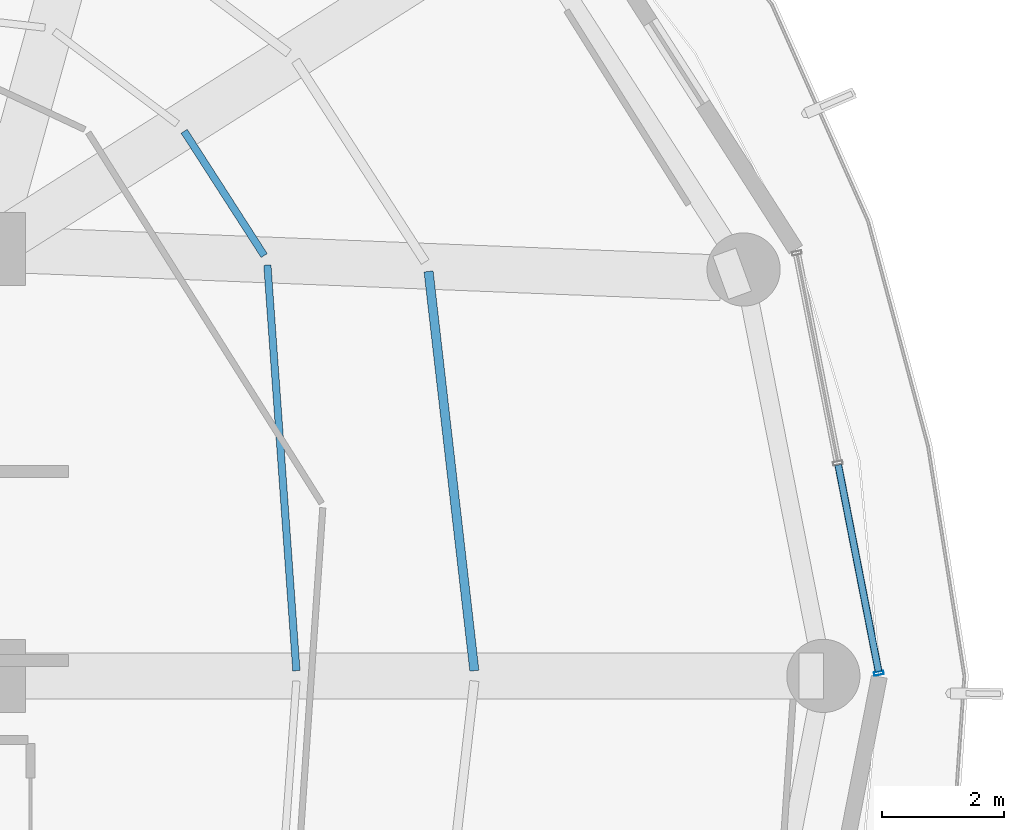
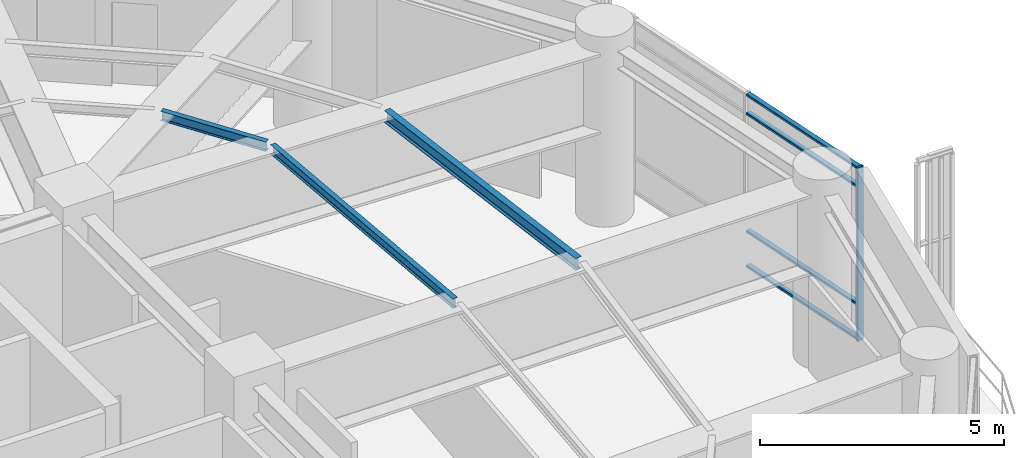
# One storey, part 13 of 28: 5 members, 3 beams, 1 element without a shape of its own.
"""IFC4 building model written with IfcOpenShell, lengths in metres."""

from ifc_helpers import new_model, si_unit, direction, frame, origin, origin_2d, place, context, subcontext, project, spatial, hollow_rectangle, i_section, extrude, material, layer, layer_set, material_profile, profile_set, type_object, element, aggregate, save


model = new_model("IFC4")

# Units and contexts
model_context = context("Model", 3, precision=1e-05, world=origin(), true_north=direction((0.0, 1.0)))
body_context = subcontext(model_context, "Body", "Model", "MODEL_VIEW")
ifc_project = project(units=[si_unit("LENGTHUNIT", "METRE"), si_unit("AREAUNIT", "SQUARE_METRE"), si_unit("VOLUMEUNIT", "CUBIC_METRE"), si_unit("PLANEANGLEUNIT", "RADIAN"), si_unit("MASSUNIT", "GRAM", prefix="KILO")], contexts=[model_context])

# Site, building, storey
site_placement = place(None, origin())
site = spatial("IfcSite", under=ifc_project, at=site_placement, CompositionType="ELEMENT")
building_placement = place(site_placement, origin())
building = spatial("IfcBuilding", under=site, at=building_placement, Name="Kelanora Arch Commons", CompositionType="ELEMENT")
storey_placement = place(building_placement, frame((0.0, 0.0, 184.35009765625)))
storey = spatial("IfcBuildingStorey", under=building, at=storey_placement, Name="L47", CompositionType="ELEMENT", Elevation=184.35009765625)

# Beams
ifc_material_1 = material(Name="Steel S355", Category="steel")
ifc_material_profile_1 = material_profile(ifc_material_1, i_section(OverallWidth=0.14990234375, OverallDepth=0.300048828125, WebThickness=0.007080078125, FlangeThickness=0.0107421875, FilletRadius=0.014892578125, at=origin_2d()), Name="IPE300")
ifc_profile_set_1 = profile_set([ifc_material_profile_1], Name="Steel S355")
beam_type_1 = type_object("IfcBeamType", Name="BM-JST-01", PredefinedType="JOIST", material=ifc_profile_set_1)
beam_1_placement = place(storey_placement, frame((89.958251953125, 58.08447265625, 4.2099609375), z_axis=(-0.113891408177, 0.993493204377, 0.0), x_axis=(-0.993493204377, -0.113891408177, 0.0)))
element("IfcBeam", 1, at=beam_1_placement, inside=storey, type_object=beam_type_1, Name="Secondary Chord Joist BJB-00 L47", PredefinedType="JOIST", context=body_context, shape_type="SweptSolid", body=[
    extrude(i_section(OverallWidth=0.14990234375, OverallDepth=0.300048828125, WebThickness=0.007080078125, FlangeThickness=0.0107421875, FilletRadius=0.014892578125, at=origin_2d()), origin(), (0.0, 0.0, 1.0), 6.589599609375),
])
ifc_material_profile_2 = material_profile(ifc_material_1, i_section(OverallWidth=0.1201171875, OverallDepth=0.239990234375, WebThickness=0.006103515625, FlangeThickness=0.009765625, FilletRadius=0.014892578125, at=origin_2d()), Name="IPE240")
ifc_profile_set_2 = profile_set([ifc_material_profile_2], Name="Steel S355")
beam_type_2 = type_object("IfcBeamType", Name="BM-JST-02", PredefinedType="JOIST", material=ifc_profile_set_2)
beam_2_placement = place(storey_placement, frame((87.040283203125, 58.084716796875, 4.239990234375), z_axis=(-0.07133032136, 0.997452748382, 0.0), x_axis=(-0.997452748382, -0.07133032136, 0.0)))
element("IfcBeam", 2, at=beam_2_placement, inside=storey, type_object=beam_type_2, Name="Secondary Chord Joist BJA-00 L47", PredefinedType="JOIST", context=body_context, shape_type="SweptSolid", body=[
    extrude(i_section(OverallWidth=0.1201171875, OverallDepth=0.239990234375, WebThickness=0.006103515625, FlangeThickness=0.009765625, FilletRadius=0.014892578125, at=origin_2d()), origin(), (0.0, 0.0, 1.0), 6.66748046875),
])
beam_3_placement = place(storey_placement, frame((86.5126953125, 64.89111328125, 4.239990234375), z_axis=(-0.541332763503, 0.840808443796, 0.0), x_axis=(-0.840808443796, -0.541332763503, 0.0)))
element("IfcBeam", 3, at=beam_3_placement, inside=storey, type_object=beam_type_2, Name="Secondary Chord Joist BJA-02 L47", PredefinedType="JOIST", context=body_context, shape_type="SweptSolid", body=[
    extrude(i_section(OverallWidth=0.1201171875, OverallDepth=0.239990234375, WebThickness=0.006103515625, FlangeThickness=0.009765625, FilletRadius=0.014892578125, at=origin_2d()), origin(), (0.0, 0.0, 1.0), 2.423583984375),
])

# Curtain wall, members
ifc_material_2 = material(Name="Terracotta ceramic-fritted low-E glass and aluminium", Category="masonry")
ifc_layer = layer(ifc_material_2, 0.175048828125)
ifc_layer_set = layer_set([ifc_layer], Name="Terracotta ceramic-fritted low-E glass and aluminium")
curtain_wall_type = type_object("IfcCurtainWallType", Name="CW-SYS-02", PredefinedType="NOTDEFINED", material=ifc_layer_set)
curtain_wall_placement = place(storey_placement, origin())
curtain_wall = element("IfcCurtainWall", 4, at=curtain_wall_placement, inside=storey, type_object=curtain_wall_type, Name="Unitised Curtain Wall L47-B00", PredefinedType="NOTDEFINED")
ifc_material_3 = material(Name="Powder-coated aluminium terracotta", Category="masonry")
ifc_material_profile_3 = material_profile(ifc_material_3, hollow_rectangle(XDim=0.159912109375, YDim=0.06005859375, WallThickness=0.0048828125, InnerFilletRadius=0.0048828125, OuterFilletRadius=0.010009765625, at=origin_2d()), Name="CWM160x60")
ifc_profile_set_3 = profile_set([ifc_material_profile_3], Name="Powder-coated aluminium terracotta")
member_type_1 = type_object("IfcMemberType", Name="CWM-STD", PredefinedType="MULLION", material=ifc_profile_set_3)
member_1_placement = place(storey_placement, frame((96.59130859375, 58.044189453125, 0.0), z_axis=(0.0, 0.0, 1.0), x_axis=(-0.981452557718, -0.191705182375, 0.0)))
member_1 = element("IfcMember", 5, at=member_1_placement, type_object=member_type_1, Name="CW-02 mullion 1", PredefinedType="MULLION", context=body_context, shape_type="SweptSolid", body=[
    extrude(hollow_rectangle(XDim=0.159912109375, YDim=0.06005859375, WallThickness=0.0048828125, InnerFilletRadius=0.0048828125, OuterFilletRadius=0.010009765625, at=origin_2d()), origin(), (0.0, 0.0, 1.0), 4.344970703125),
])
ifc_material_profile_4 = material_profile(ifc_material_3, hollow_rectangle(XDim=0.1201171875, YDim=0.06005859375, WallThickness=0.0048828125, InnerFilletRadius=0.0048828125, OuterFilletRadius=0.010009765625, at=origin_2d()), Name="CWT120x60")
ifc_profile_set_4 = profile_set([ifc_material_profile_4], Name="Powder-coated aluminium terracotta")
member_type_2 = type_object("IfcMemberType", Name="CWT-STD", PredefinedType="USERDEFINED", material=ifc_profile_set_4)
member_2_placement = place(storey_placement, frame((96.585693359375, 58.073486328125, 0.02978515625), z_axis=(-0.191718206447, 0.981450013662, 0.0), x_axis=(-0.981450013662, -0.191718206447, 0.0)))
member_2 = element("IfcMember", 6, at=member_2_placement, type_object=member_type_2, Name="CW-02 transom 1.1", ObjectType="TRANSOM", PredefinedType="USERDEFINED", context=body_context, shape_type="SweptSolid", body=[
    extrude(hollow_rectangle(XDim=0.1201171875, YDim=0.06005859375, WallThickness=0.0048828125, InnerFilletRadius=0.0048828125, OuterFilletRadius=0.010009765625, at=origin_2d()), origin(), (0.0, 0.0, 1.0), 3.44970703125),
])
member_3_placement = place(storey_placement, frame((96.585693359375, 58.073486328125, 0.89990234375), z_axis=(-0.191718206447, 0.981450013662, 0.0), x_axis=(-0.981450013662, -0.191718206447, 0.0)))
member_3 = element("IfcMember", 7, at=member_3_placement, type_object=member_type_2, Name="CW-02 transom 1.2", ObjectType="TRANSOM", PredefinedType="USERDEFINED", context=body_context, shape_type="SweptSolid", body=[
    extrude(hollow_rectangle(XDim=0.1201171875, YDim=0.06005859375, WallThickness=0.0048828125, InnerFilletRadius=0.0048828125, OuterFilletRadius=0.010009765625, at=origin_2d()), origin(), (0.0, 0.0, 1.0), 3.44970703125),
])
member_4_placement = place(storey_placement, frame((96.585693359375, 58.073486328125, 3.844970703125), z_axis=(-0.191718206447, 0.981450013662, 0.0), x_axis=(-0.981450013662, -0.191718206447, 0.0)))
member_4 = element("IfcMember", 8, at=member_4_placement, type_object=member_type_2, Name="CW-02 transom 1.3", ObjectType="TRANSOM", PredefinedType="USERDEFINED", context=body_context, shape_type="SweptSolid", body=[
    extrude(hollow_rectangle(XDim=0.1201171875, YDim=0.06005859375, WallThickness=0.0048828125, InnerFilletRadius=0.0048828125, OuterFilletRadius=0.010009765625, at=origin_2d()), origin(), (0.0, 0.0, 1.0), 3.44970703125),
])
member_5_placement = place(storey_placement, frame((96.585693359375, 58.073486328125, 4.31494140625), z_axis=(-0.191718206447, 0.981450013662, 0.0), x_axis=(-0.981450013662, -0.191718206447, 0.0)))
member_5 = element("IfcMember", 9, at=member_5_placement, type_object=member_type_2, Name="CW-02 transom 1.4", ObjectType="TRANSOM", PredefinedType="USERDEFINED", context=body_context, shape_type="SweptSolid", body=[
    extrude(hollow_rectangle(XDim=0.1201171875, YDim=0.06005859375, WallThickness=0.0048828125, InnerFilletRadius=0.0048828125, OuterFilletRadius=0.010009765625, at=origin_2d()), origin(), (0.0, 0.0, 1.0), 3.44970703125),
])
aggregate(curtain_wall, [member_1, member_2, member_3, member_4, member_5])

save(model, "model.ifc")
